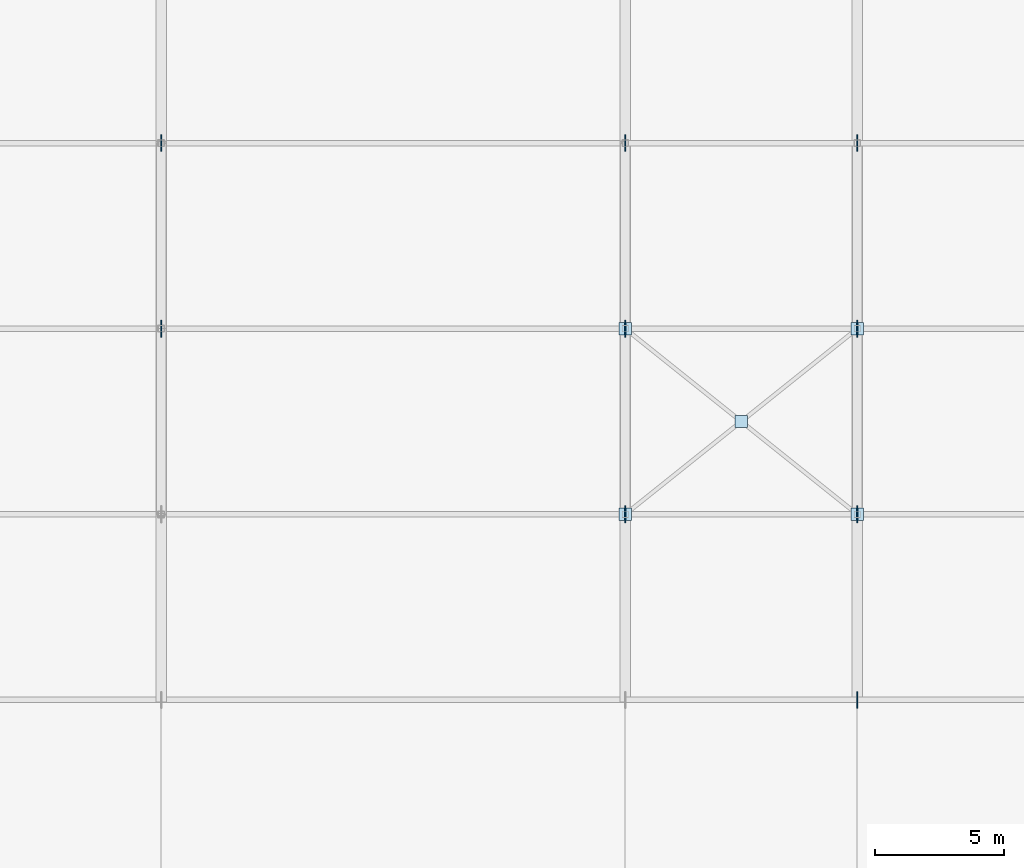
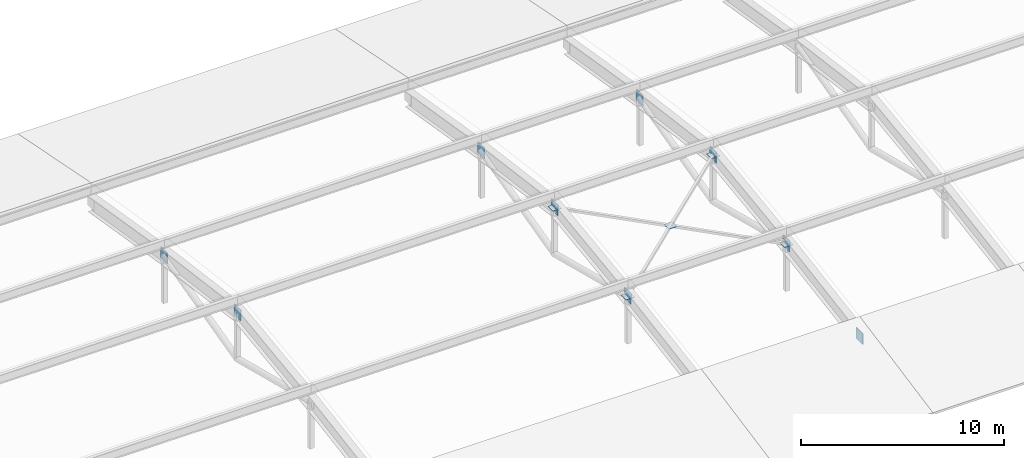
# One storey, part 58 of 78: 14 plates.
"""IFC4 building model written with IfcOpenShell, lengths in metres."""

from ifc_helpers import new_model, si_unit, direction, frame, origin, origin_2d, place, context, subcontext, project, spatial, rectangle, extrude, material, layer, layer_set, type_object, element, save


model = new_model("IFC4")

# Units and contexts
model_context = context("Model", 3, precision=1e-05, world=origin(), true_north=direction((0.0, 1.0)))
body_context = subcontext(model_context, "Body", "Model", "MODEL_VIEW")
ifc_project = project(units=[si_unit("LENGTHUNIT", "METRE"), si_unit("AREAUNIT", "SQUARE_METRE"), si_unit("VOLUMEUNIT", "CUBIC_METRE"), si_unit("PLANEANGLEUNIT", "RADIAN"), si_unit("MASSUNIT", "GRAM", prefix="KILO")], contexts=[model_context])

# Site, building, storey
site_placement = place(None, origin())
site = spatial("IfcSite", under=ifc_project, at=site_placement, CompositionType="ELEMENT")
building_placement = place(site_placement, origin())
building = spatial("IfcBuilding", under=site, at=building_placement, Name="Celestram Park Convention Centre", CompositionType="ELEMENT")
storey_placement = place(building_placement, frame((0.0, 0.0, 19.800048828125)))
storey = spatial("IfcBuildingStorey", under=building, at=storey_placement, Name="L04", CompositionType="ELEMENT", Elevation=19.800048828125)

# Plates
ifc_material = material(Name="Steel ASTM A572 Grade 50", Category="steel")
ifc_layer_1 = layer(ifc_material, 0.031982421875)
ifc_layer_set_1 = layer_set([ifc_layer_1], Name="Steel ASTM A572 Grade 50")
plate_type_1 = type_object("IfcPlateType", Name="STR-PLT-GP32", PredefinedType="USERDEFINED", material=ifc_layer_set_1)
for number, where, z_axis, x_axis, name in (
    (1, (58.5, 61.199951171875, 2.10498046875), (0.0, 0.0, 1.0), (1.0, 0.0, 0.0), "X-brace midpoint crossing gusset GP-L04-498"),
    (2, (54.0, 57.60009765625, 1.62548828125), (0.0, 0.0, 1.0), (1.0, 0.0, 0.0), "X-brace end gusset GP-L04-499"),
    (3, (63.0, 64.800048828125, 2.583984375), (0.0, 0.0, 1.0), (1.0, 0.0, 0.0), "X-brace end gusset GP-L04-500"),
    (4, (63.0, 57.60009765625, 1.62548828125), (0.0, 0.0, 1.0), (1.0, 0.0, 0.0), "X-brace end gusset GP-L04-501"),
    (5, (54.0, 64.800048828125, 2.583984375), (0.0, 0.0, 1.0), (1.0, 0.0, 0.0), "X-brace end gusset GP-L04-502"),
):
    element("IfcPlate", number, at=place(storey_placement, frame(where, z_axis=z_axis, x_axis=x_axis)), inside=storey, type_object=plate_type_1, Name=name, ObjectType="GUSSET_PLATE", PredefinedType="USERDEFINED", context=body_context, shape_type="SweptSolid", body=[
        extrude(rectangle(XDim=0.47998046875, YDim=0.47998046875, at=origin_2d()), origin(), (0.0, 0.0, 1.0), 0.031982421875),
    ])
ifc_layer_2 = layer(ifc_material, 0.050048828125)
ifc_layer_set_2 = layer_set([ifc_layer_2], Name="Steel ASTM A572 Grade 50")
plate_type_2 = type_object("IfcPlateType", Name="STR-PLT-GP50", PredefinedType="USERDEFINED", material=ifc_layer_set_2)
for number, where, z_axis, x_axis, name in (
    (6, (36.0, 64.800048828125, 2.303466796875), (0.0, 0.0, 1.0), (0.0, 1.0, 0.0), "V1 truss node gusset plate"),
    (7, (36.0, 72.0, 1.34521484375), (0.0, 0.0, 1.0), (0.0, 1.0, 0.0), "V1 truss node gusset plate"),
    (8, (54.0, 57.60009765625, 1.34521484375), (0.0, 0.0, 1.0), (0.0, 1.0, 0.0), "V1 truss node gusset plate"),
    (9, (54.0, 64.800048828125, 2.303466796875), (0.0, 0.0, 1.0), (0.0, 1.0, 0.0), "V1 truss node gusset plate"),
    (10, (54.0, 72.0, 1.34521484375), (0.0, 0.0, 1.0), (0.0, 1.0, 0.0), "V1 truss node gusset plate"),
    (11, (63.0, 50.39990234375, 0.15673828125), (0.0, 0.0, 1.0), (0.0, 1.0, 0.0), "V1 truss node gusset plate"),
    (12, (63.0, 57.60009765625, 1.34521484375), (0.0, 0.0, 1.0), (0.0, 1.0, 0.0), "V1 truss node gusset plate"),
    (13, (63.0, 64.800048828125, 2.303466796875), (0.0, 0.0, 1.0), (0.0, 1.0, 0.0), "V1 truss node gusset plate"),
    (14, (63.0, 72.0, 1.34521484375), (0.0, 0.0, 1.0), (0.0, 1.0, 0.0), "V1 truss node gusset plate"),
):
    element("IfcPlate", number, at=place(storey_placement, frame(where, z_axis=z_axis, x_axis=x_axis)), inside=storey, type_object=plate_type_2, Name=name, ObjectType="GUSSET_PLATE", PredefinedType="USERDEFINED", context=body_context, shape_type="SweptSolid", body=[
        extrude(rectangle(XDim=0.64990234375, YDim=0.050048828125, at=origin_2d()), origin(), (0.0, 0.0, 1.0), 0.64990234375),
    ])

save(model, "model.ifc")
